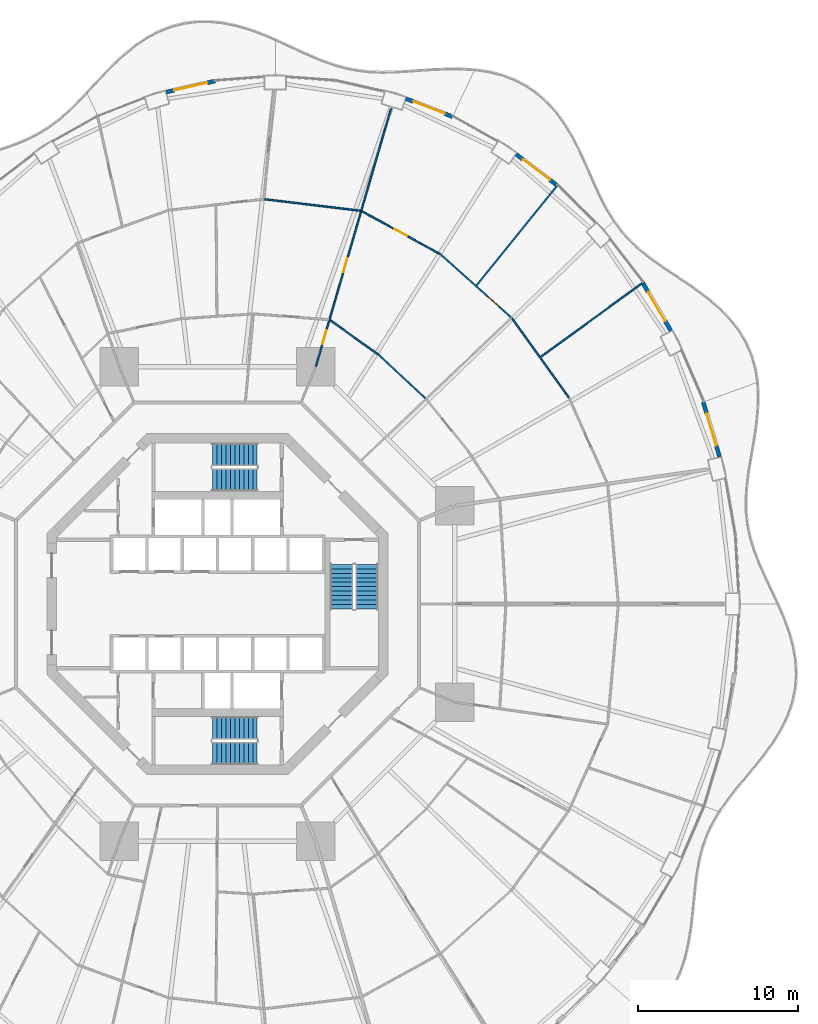
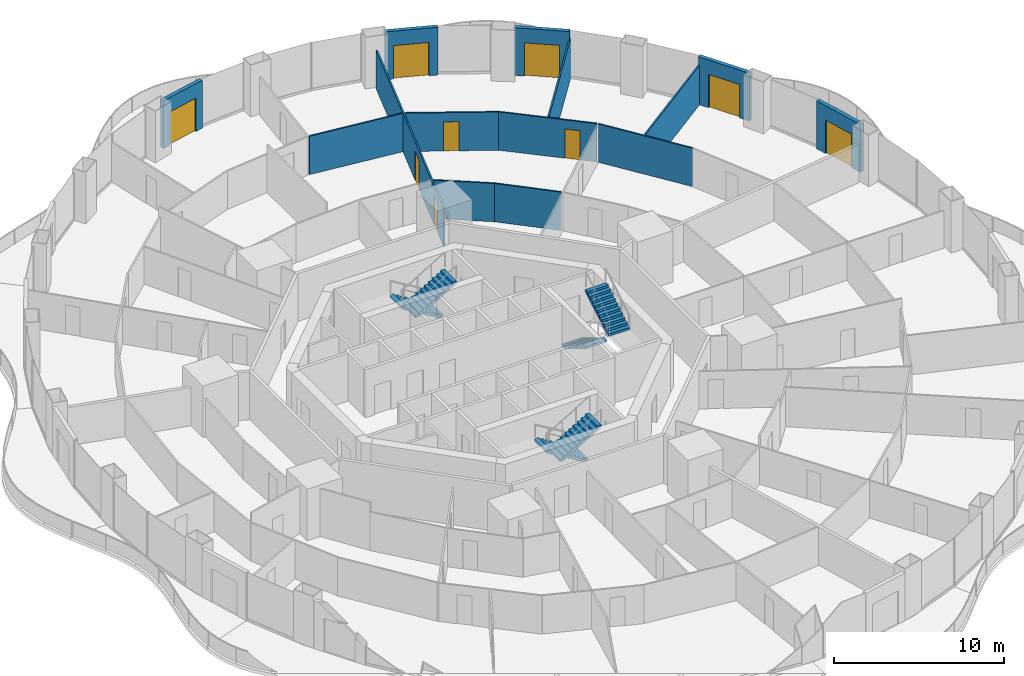
# One storey, part 19 of 22: 14 walls, 9 doors, 6 stair flights, 9 openings, 3 elements without a shape of their own.
"""IFC4 building model written with IfcOpenShell, lengths in metres."""

from ifc_helpers import new_model, si_unit, direction, frame, frame_2d, origin, place, context, subcontext, project, spatial, polyline, rectangle, outline, extrude, material, layer, layer_set, type_object, element, fill, aggregate, save


model = new_model("IFC4")

# Units and contexts
model_context = context("Model", 3, precision=1e-05, world=origin(), true_north=direction((0.0, 1.0)))
body_context = subcontext(model_context, "Body", "Model", "MODEL_VIEW")
ifc_project = project(units=[si_unit("LENGTHUNIT", "METRE"), si_unit("AREAUNIT", "SQUARE_METRE"), si_unit("VOLUMEUNIT", "CUBIC_METRE"), si_unit("PLANEANGLEUNIT", "RADIAN"), si_unit("MASSUNIT", "GRAM", prefix="KILO")], contexts=[model_context])

# Site, building, storey
site_placement = place(None, origin())
site = spatial("IfcSite", under=ifc_project, at=site_placement, CompositionType="ELEMENT")
building_placement = place(site_placement, origin())
building = spatial("IfcBuilding", under=site, at=building_placement, Name="Nagisa Residences", CompositionType="ELEMENT")
storey_placement = place(building_placement, frame((0.0, 0.0, 38.10009765625)))
storey = spatial("IfcBuildingStorey", under=building, at=storey_placement, Name="L08", CompositionType="ELEMENT", Elevation=38.10009765625)

# Walls
ifc_material_1 = material(Name="Gypsum board on steel studs", Category="steel")
ifc_layer_1 = layer(ifc_material_1, 0.10009765625)
ifc_layer_set_1 = layer_set([ifc_layer_1], Name="Apartment partition 100")
wall_type_1 = type_object("IfcWallType", Name="Apartment partition 100", PredefinedType="PARTITIONING", material=ifc_layer_set_1)
wall_1_placement = place(storey_placement, frame((21.90771484375, 12.866455078125, 0.0), z_axis=(0.0, 0.0, 1.0), x_axis=(-0.584558392935, 0.811351640936, 0.0)))
element("IfcWall", 1, at=wall_1_placement, inside=storey, type_object=wall_type_1, Name="wall:L08:u22", PredefinedType="PARTITIONING", context=body_context, shape_type="SweptSolid", body=[
    extrude(rectangle(XDim=6.084228515625, YDim=0.10009765625, at=frame_2d((3.0419921875, 0.0))), origin(), (0.0, 0.0, 1.0), 2.755859375),
])
wall_2_placement = place(storey_placement, frame((20.140625, 15.404541015625, 0.0), z_axis=(0.0, 0.0, 1.0), x_axis=(0.809834895779, 0.58665785734, 0.0)))
element("IfcWall", 2, at=wall_2_placement, inside=storey, type_object=wall_type_1, Name="wall:L08:u23", PredefinedType="PARTITIONING", context=body_context, shape_type="SweptSolid", body=[
    extrude(rectangle(XDim=7.9453125, YDim=0.10009765625, at=frame_2d((3.97265625, 0.0))), origin(), (0.0, 0.0, 1.0), 2.8369140625),
])
wall_3_placement = place(storey_placement, frame((12.957763671875, 12.820068359375, 0.0), z_axis=(0.0, 0.0, 1.0), x_axis=(-0.732028724098, 0.681273768096, 0.0)))
element("IfcWall", 3, at=wall_3_placement, inside=storey, type_object=wall_type_1, Name="wall:L08:u25", PredefinedType="PARTITIONING", context=body_context, shape_type="SweptSolid", body=[
    extrude(rectangle(XDim=4.05029296875, YDim=0.10009765625, at=frame_2d((2.025146484375, 0.0))), origin(), (0.0, 0.0, 1.0), 2.755859375),
])

# Wall, opening, door
wall_4_placement = place(storey_placement, frame((18.28466796875, 17.876953125, 0.0), z_axis=(0.0, 0.0, 1.0), x_axis=(-0.745812746724, 0.666155647596, 0.0)))
wall_4 = element("IfcWall", 4, at=wall_4_placement, inside=storey, type_object=wall_type_1, Name="wall:L08:u26", PredefinedType="PARTITIONING", context=body_context, shape_type="SweptSolid", body=[
    extrude(rectangle(XDim=5.9306640625, YDim=0.10009765625, at=frame_2d((2.96533203125, 0.0))), origin(), (0.0, 0.0, 1.0), 2.755859375),
])
opening_1_placement = place(wall_4_placement, frame((1.007568359375, 0.0, 0.0)))
opening_1 = element("IfcOpeningElement", 5, at=opening_1_placement, cuts=wall_4, Name="Opening L08-U15", PredefinedType="OPENING", context=body_context, shape_type="SweptSolid", body=[
    extrude(rectangle(XDim=0.89990234375, YDim=2.10009765625, at=frame_2d((0.449951171875, 1.050048828125))), frame((0.0, 0.06005859375, 0.0), z_axis=(0.0, -1.0, 0.0), x_axis=(1.0, 0.0, 0.0)), (0.0, 0.0, 1.0), 0.1201171875),
])
ifc_material_2 = material(Name="Timber door set", Category="wood")
door_type_1 = type_object("IfcDoorType", Name="Apartment door 900x2100", OperationType="NOTDEFINED", PredefinedType="DOOR", material=ifc_material_2)
door_1_placement = place(opening_1_placement, frame((0.89990234375, 0.0, 0.0), x_axis=(-1.0, 0.0, 0.0)))
door_1 = element("IfcDoor", 6, at=door_1_placement, inside=storey, type_object=door_type_1, Name="Door to master bedroom, Apartment 08A", OperationType="SINGLE_SWING_RIGHT", OverallHeight=2.10009765625, OverallWidth=0.89990234375, PredefinedType="DOOR", context=body_context, shape_type="SweptSolid", body=[
    extrude(rectangle(XDim=0.89990234375, YDim=2.10009765625, at=frame_2d((0.449951171875, 1.050048828125))), frame((0.0, 0.02490234375, 0.0), z_axis=(0.0, -1.0, 0.0), x_axis=(1.0, 0.0, 0.0)), (0.0, 0.0, 1.0), 0.050048828125),
])
fill(opening_1, door_1)

# Walls
wall_5_placement = place(storey_placement, frame((16.141845703125, 19.85791015625, 0.0), z_axis=(0.0, 0.0, 1.0), x_axis=(0.628738066508, 0.777617157555, 0.0)))
element("IfcWall", 7, at=wall_5_placement, inside=storey, type_object=wall_type_1, Name="wall:L08:u27", PredefinedType="PARTITIONING", context=body_context, shape_type="SweptSolid", body=[
    extrude(rectangle(XDim=8.091064453125, YDim=0.10009765625, at=frame_2d((4.04541015625, 0.0))), origin(), (0.0, 0.0, 1.0), 2.8369140625),
])
wall_6_placement = place(storey_placement, frame((9.98876953125, 15.57421875, 0.0), z_axis=(0.0, 0.0, 1.0), x_axis=(-0.81494477814, 0.57953861699, 0.0)))
element("IfcWall", 8, at=wall_6_placement, inside=storey, type_object=wall_type_1, Name="wall:L08:u28", PredefinedType="PARTITIONING", context=body_context, shape_type="SweptSolid", body=[
    extrude(rectangle(XDim=3.644287109375, YDim=0.10009765625, at=frame_2d((1.822265625, 0.0))), origin(), (0.0, 0.0, 1.0), 2.755859375),
])

# Wall, opening, door
wall_7_placement = place(storey_placement, frame((13.85498046875, 21.818359375, 0.0), z_axis=(0.0, 0.0, 1.0), x_axis=(-0.876794415294, 0.480865421203, 0.0)))
wall_7 = element("IfcWall", 9, at=wall_7_placement, inside=storey, type_object=wall_type_1, Name="wall:L08:u29", PredefinedType="PARTITIONING", context=body_context, shape_type="SweptSolid", body=[
    extrude(rectangle(XDim=5.5361328125, YDim=0.10009765625, at=frame_2d((2.76806640625, 0.0))), origin(), (0.0, 0.0, 1.0), 2.755859375),
])
opening_2_placement = place(wall_7_placement, frame((2.318115234375, 0.0, 0.0)))
opening_2 = element("IfcOpeningElement", 10, at=opening_2_placement, cuts=wall_7, Name="Opening L08-U16", PredefinedType="OPENING", context=body_context, shape_type="SweptSolid", body=[
    extrude(rectangle(XDim=0.89990234375, YDim=2.10009765625, at=frame_2d((0.449951171875, 1.050048828125))), frame((0.0, 0.06005859375, 0.0), z_axis=(0.0, -1.0, 0.0), x_axis=(1.0, 0.0, 0.0)), (0.0, 0.0, 1.0), 0.1201171875),
])
door_2_placement = place(opening_2_placement, frame((0.89990234375, 0.0, 0.0), x_axis=(-1.0, 0.0, 0.0)))
door_2 = element("IfcDoor", 11, at=door_2_placement, inside=storey, type_object=door_type_1, Name="Door to living room, Apartment 08A", OperationType="SINGLE_SWING_LEFT", OverallHeight=2.10009765625, OverallWidth=0.89990234375, PredefinedType="DOOR", context=body_context, shape_type="SweptSolid", body=[
    extrude(rectangle(XDim=0.89990234375, YDim=2.10009765625, at=frame_2d((0.449951171875, 1.050048828125))), frame((0.0, 0.02490234375, 0.0), z_axis=(0.0, -1.0, 0.0), x_axis=(1.0, 0.0, 0.0)), (0.0, 0.0, 1.0), 0.050048828125),
])
fill(opening_2, door_2)

# Wall, openings, doors
wall_8_placement = place(storey_placement, frame((6.136962890625, 14.830078125, 0.0), z_axis=(0.0, 0.0, 1.0), x_axis=(0.27985745069, 0.960041565399, 0.0)))
wall_8 = element("IfcWall", 12, at=wall_8_placement, inside=storey, type_object=wall_type_1, Name="wall:L08:u31", PredefinedType="PARTITIONING", context=body_context, shape_type="SweptSolid", body=[
    extrude(rectangle(XDim=16.705078125, YDim=0.10009765625, at=frame_2d((8.3525390625, 0.0))), origin(), (0.0, 0.0, 1.0), 2.755859375),
])
opening_3_placement = place(wall_8_placement, frame((6.09130859375, 0.0, 0.0)))
opening_3 = element("IfcOpeningElement", 13, at=opening_3_placement, cuts=wall_8, Name="Opening L08-U14", PredefinedType="OPENING", context=body_context, shape_type="SweptSolid", body=[
    extrude(rectangle(XDim=0.89990234375, YDim=2.10009765625, at=frame_2d((0.449951171875, 1.050048828125))), frame((0.0, 0.06005859375, 0.0), z_axis=(0.0, -1.0, 0.0), x_axis=(1.0, 0.0, 0.0)), (0.0, 0.0, 1.0), 0.1201171875),
])
opening_4_placement = place(wall_8_placement, frame((1.43359375, 0.0, 0.0)))
opening_4 = element("IfcOpeningElement", 14, at=opening_4_placement, cuts=wall_8, Name="Opening L08-U17", PredefinedType="OPENING", context=body_context, shape_type="SweptSolid", body=[
    extrude(rectangle(XDim=0.89990234375, YDim=2.10009765625, at=frame_2d((0.449951171875, 1.050048828125))), frame((0.0, 0.06005859375, 0.0), z_axis=(0.0, -1.0, 0.0), x_axis=(1.0, 0.0, 0.0)), (0.0, 0.0, 1.0), 0.1201171875),
])
door_3_placement = place(opening_3_placement, frame((0.89990234375, 0.0, 0.0), x_axis=(-1.0, 0.0, 0.0)))
door_3 = element("IfcDoor", 15, at=door_3_placement, inside=storey, type_object=door_type_1, Name="Door to family room, Apartment 08A", OperationType="SINGLE_SWING_LEFT", OverallHeight=2.10009765625, OverallWidth=0.89990234375, PredefinedType="DOOR", context=body_context, shape_type="SweptSolid", body=[
    extrude(rectangle(XDim=0.89990234375, YDim=2.10009765625, at=frame_2d((0.449951171875, 1.050048828125))), frame((0.0, 0.02490234375, 0.0), z_axis=(0.0, -1.0, 0.0), x_axis=(1.0, 0.0, 0.0)), (0.0, 0.0, 1.0), 0.050048828125),
])
fill(opening_3, door_3)
door_4_placement = place(opening_4_placement, frame((0.89990234375, 0.0, 0.0), x_axis=(-1.0, 0.0, 0.0)))
door_4 = element("IfcDoor", 16, at=door_4_placement, inside=storey, type_object=door_type_1, Name="Door to store, Apartment 08A", OperationType="SINGLE_SWING_RIGHT", OverallHeight=2.10009765625, OverallWidth=0.89990234375, PredefinedType="DOOR", context=body_context, shape_type="SweptSolid", body=[
    extrude(rectangle(XDim=0.89990234375, YDim=2.10009765625, at=frame_2d((0.449951171875, 1.050048828125))), frame((0.0, 0.02490234375, 0.0), z_axis=(0.0, -1.0, 0.0), x_axis=(1.0, 0.0, 0.0)), (0.0, 0.0, 1.0), 0.050048828125),
])
fill(opening_4, door_4)

# Wall
wall_9_placement = place(storey_placement, frame((8.907470703125, 24.510498046875, 0.0), z_axis=(0.0, 0.0, 1.0), x_axis=(-0.992836798252, 0.119478416615, 0.0)))
element("IfcWall", 17, at=wall_9_placement, inside=storey, type_object=wall_type_1, Name="wall:L08:u33", PredefinedType="PARTITIONING", context=body_context, shape_type="SweptSolid", body=[
    extrude(rectangle(XDim=6.009521484375, YDim=0.10009765625, at=frame_2d((3.0048828125, 0.0))), origin(), (0.0, 0.0, 1.0), 2.755859375),
])

# Wall, opening, door
ifc_material_3 = material(Name="Precast concrete C40/50", Category="concrete")
ifc_layer_2 = layer(ifc_material_3, 0.25)
ifc_layer_set_2 = layer_set([ifc_layer_2], Name="BALCONY DOOR WALL 250")
wall_type_2 = type_object("IfcWallType", Name="BALCONY DOOR WALL 250", PredefinedType="SOLIDWALL", material=ifc_layer_set_2)
wall_10_placement = place(storey_placement, frame((30.272705078125, 12.5927734375, 0.0), z_axis=(0.0, 0.0, 1.0), x_axis=(0.285871309426, -0.958268018065, 0.0)))
wall_10 = element("IfcWall", 18, at=wall_10_placement, inside=storey, type_object=wall_type_2, Name="wall:L08:bay02", PredefinedType="SOLIDWALL", context=body_context, shape_type="SweptSolid", body=[
    extrude(rectangle(XDim=3.5654296875, YDim=0.25, at=frame_2d((1.78271484375, 0.0))), origin(), (0.0, 0.0, 1.0), 3.43994140625),
])
opening_5_placement = place(wall_10_placement, frame((0.732666015625, 0.0, 0.0)))
opening_5 = element("IfcOpeningElement", 19, at=opening_5_placement, cuts=wall_10, Name="Opening BD-L08-01", PredefinedType="OPENING", context=body_context, shape_type="SweptSolid", body=[
    extrude(rectangle(XDim=2.10009765625, YDim=2.39990234375, at=frame_2d((1.050048828125, 1.199951171875))), frame((0.0, 0.135009765625, 0.0), z_axis=(0.0, -1.0, 0.0), x_axis=(1.0, 0.0, 0.0)), (0.0, 0.0, 1.0), 0.27001953125),
])
ifc_material_4 = material(Name="Aluminium and clear glass", Category="aluminium")
door_type_2 = type_object("IfcDoorType", Name="BALCONY SLIDING DOOR 2100x2400", OperationType="SLIDING_TO_LEFT", PredefinedType="DOOR", material=ifc_material_4)
door_5_placement = place(opening_5_placement, origin())
door_5 = element("IfcDoor", 20, at=door_5_placement, inside=storey, type_object=door_type_2, Name="door:L08:bay02", OperationType="SLIDING_TO_LEFT", OverallHeight=2.39990234375, OverallWidth=2.10009765625, PredefinedType="DOOR", context=body_context, shape_type="SweptSolid", body=[
    extrude(rectangle(XDim=2.10009765625, YDim=2.39990234375, at=frame_2d((1.050048828125, 1.199951171875))), frame((0.0, 0.02490234375, 0.0), z_axis=(0.0, -1.0, 0.0), x_axis=(1.0, 0.0, 0.0)), (0.0, 0.0, 1.0), 0.050048828125),
])
fill(opening_5, door_5)

wall_11_placement = place(storey_placement, frame((26.49951171875, 20.02587890625, 0.0), z_axis=(0.0, 0.0, 1.0), x_axis=(0.506311160839, -0.862350861546, 0.0)))
wall_11 = element("IfcWall", 21, at=wall_11_placement, inside=storey, type_object=wall_type_2, Name="wall:L08:bay04", PredefinedType="SOLIDWALL", context=body_context, shape_type="SweptSolid", body=[
    extrude(rectangle(XDim=3.462158203125, YDim=0.25, at=frame_2d((1.73095703125, 0.0))), origin(), (0.0, 0.0, 1.0), 3.43994140625),
])
opening_6_placement = place(wall_11_placement, frame((0.68115234375, 0.0, 0.0)))
opening_6 = element("IfcOpeningElement", 22, at=opening_6_placement, cuts=wall_11, Name="Opening BD-L08-02", PredefinedType="OPENING", context=body_context, shape_type="SweptSolid", body=[
    extrude(rectangle(XDim=2.10009765625, YDim=2.39990234375, at=frame_2d((1.050048828125, 1.199951171875))), frame((0.0, 0.135009765625, 0.0), z_axis=(0.0, -1.0, 0.0), x_axis=(1.0, 0.0, 0.0)), (0.0, 0.0, 1.0), 0.27001953125),
])
door_6_placement = place(opening_6_placement, origin())
door_6 = element("IfcDoor", 23, at=door_6_placement, inside=storey, type_object=door_type_2, Name="door:L08:bay04", OperationType="SLIDING_TO_LEFT", OverallHeight=2.39990234375, OverallWidth=2.10009765625, PredefinedType="DOOR", context=body_context, shape_type="SweptSolid", body=[
    extrude(rectangle(XDim=2.10009765625, YDim=2.39990234375, at=frame_2d((1.050048828125, 1.199951171875))), frame((0.0, 0.02490234375, 0.0), z_axis=(0.0, -1.0, 0.0), x_axis=(1.0, 0.0, 0.0)), (0.0, 0.0, 1.0), 0.050048828125),
])
fill(opening_6, door_6)

wall_12_placement = place(storey_placement, frame((18.58154296875, 28.0556640625, 0.0), z_axis=(0.0, 0.0, 1.0), x_axis=(0.796022293214, -0.605267303517, 0.0)))
wall_12 = element("IfcWall", 24, at=wall_12_placement, inside=storey, type_object=wall_type_2, Name="wall:L08:bay07", PredefinedType="SOLIDWALL", context=body_context, shape_type="SweptSolid", body=[
    extrude(rectangle(XDim=3.262451171875, YDim=0.25, at=frame_2d((1.63134765625, 0.0))), origin(), (0.0, 0.0, 1.0), 3.43994140625),
])
opening_7_placement = place(wall_12_placement, frame((0.5810546875, 0.0, 0.0)))
opening_7 = element("IfcOpeningElement", 25, at=opening_7_placement, cuts=wall_12, Name="Opening BD-L08-03", PredefinedType="OPENING", context=body_context, shape_type="SweptSolid", body=[
    extrude(rectangle(XDim=2.10009765625, YDim=2.39990234375, at=frame_2d((1.050048828125, 1.199951171875))), frame((0.0, 0.135009765625, 0.0), z_axis=(0.0, -1.0, 0.0), x_axis=(1.0, 0.0, 0.0)), (0.0, 0.0, 1.0), 0.27001953125),
])
door_7_placement = place(opening_7_placement, origin())
door_7 = element("IfcDoor", 26, at=door_7_placement, inside=storey, type_object=door_type_2, Name="door:L08:bay07", OperationType="SLIDING_TO_LEFT", OverallHeight=2.39990234375, OverallWidth=2.10009765625, PredefinedType="DOOR", context=body_context, shape_type="SweptSolid", body=[
    extrude(rectangle(XDim=2.10009765625, YDim=2.39990234375, at=frame_2d((1.050048828125, 1.199951171875))), frame((0.0, 0.02490234375, 0.0), z_axis=(0.0, -1.0, 0.0), x_axis=(1.0, 0.0, 0.0)), (0.0, 0.0, 1.0), 0.050048828125),
])
fill(opening_7, door_7)

wall_13_placement = place(storey_placement, frame((11.713623046875, 31.5068359375, 0.0), z_axis=(0.0, 0.0, 1.0), x_axis=(0.932809381943, -0.360370166577, 0.0)))
wall_13 = element("IfcWall", 27, at=wall_13_placement, inside=storey, type_object=wall_type_2, Name="wall:L08:bay09", PredefinedType="SOLIDWALL", context=body_context, shape_type="SweptSolid", body=[
    extrude(rectangle(XDim=3.15087890625, YDim=0.25, at=frame_2d((1.575439453125, 0.0))), origin(), (0.0, 0.0, 1.0), 3.43994140625),
])
opening_8_placement = place(wall_13_placement, frame((0.525390625, 0.0, 0.0)))
opening_8 = element("IfcOpeningElement", 28, at=opening_8_placement, cuts=wall_13, Name="Opening BD-L08-04", PredefinedType="OPENING", context=body_context, shape_type="SweptSolid", body=[
    extrude(rectangle(XDim=2.10009765625, YDim=2.39990234375, at=frame_2d((1.050048828125, 1.199951171875))), frame((0.0, 0.135009765625, 0.0), z_axis=(0.0, -1.0, 0.0), x_axis=(1.0, 0.0, 0.0)), (0.0, 0.0, 1.0), 0.27001953125),
])
door_8_placement = place(opening_8_placement, origin())
door_8 = element("IfcDoor", 29, at=door_8_placement, inside=storey, type_object=door_type_2, Name="door:L08:bay09", OperationType="SLIDING_TO_LEFT", OverallHeight=2.39990234375, OverallWidth=2.10009765625, PredefinedType="DOOR", context=body_context, shape_type="SweptSolid", body=[
    extrude(rectangle(XDim=2.10009765625, YDim=2.39990234375, at=frame_2d((1.050048828125, 1.199951171875))), frame((0.0, 0.02490234375, 0.0), z_axis=(0.0, -1.0, 0.0), x_axis=(1.0, 0.0, 0.0)), (0.0, 0.0, 1.0), 0.050048828125),
])
fill(opening_8, door_8)

wall_14_placement = place(storey_placement, frame((-3.1953125, 31.908203125, 0.0), z_axis=(0.0, 0.0, 1.0), x_axis=(0.975331134677, 0.220746863466, 0.0)))
wall_14 = element("IfcWall", 30, at=wall_14_placement, inside=storey, type_object=wall_type_2, Name="wall:L08:bay13", PredefinedType="SOLIDWALL", context=body_context, shape_type="SweptSolid", body=[
    extrude(rectangle(XDim=3.114501953125, YDim=0.25, at=frame_2d((1.55712890625, 0.0))), origin(), (0.0, 0.0, 1.0), 3.43994140625),
])
opening_9_placement = place(wall_14_placement, frame((0.50732421875, 0.0, 0.0)))
opening_9 = element("IfcOpeningElement", 31, at=opening_9_placement, cuts=wall_14, Name="Opening BD-L08-05", PredefinedType="OPENING", context=body_context, shape_type="SweptSolid", body=[
    extrude(rectangle(XDim=2.10009765625, YDim=2.39990234375, at=frame_2d((1.050048828125, 1.199951171875))), frame((0.0, 0.135009765625, 0.0), z_axis=(0.0, -1.0, 0.0), x_axis=(1.0, 0.0, 0.0)), (0.0, 0.0, 1.0), 0.27001953125),
])
door_9_placement = place(opening_9_placement, origin())
door_9 = element("IfcDoor", 32, at=door_9_placement, inside=storey, type_object=door_type_2, Name="door:L08:bay13", OperationType="SLIDING_TO_LEFT", OverallHeight=2.39990234375, OverallWidth=2.10009765625, PredefinedType="DOOR", context=body_context, shape_type="SweptSolid", body=[
    extrude(rectangle(XDim=2.10009765625, YDim=2.39990234375, at=frame_2d((1.050048828125, 1.199951171875))), frame((0.0, 0.02490234375, 0.0), z_axis=(0.0, -1.0, 0.0), x_axis=(1.0, 0.0, 0.0)), (0.0, 0.0, 1.0), 0.050048828125),
])
fill(opening_9, door_9)

# Stair, stair flights
ifc_material_5 = material(Name="Concrete C60", Category="concrete")
stair_type = type_object("IfcStairType", Name="Exit stair", PredefinedType="HALF_TURN_STAIR", material=ifc_material_5)
stair_1_placement = place(storey_placement, origin())
stair_1 = element("IfcStair", 33, at=stair_1_placement, inside=storey, type_object=stair_type, Name="L08 Exit stair E", PredefinedType="HALF_TURN_STAIR")
ifc_material_6 = material(Name="Concrete C60", Category="concrete")
stair_flight_type = type_object("IfcStairFlightType", Name="Exit stair flight", PredefinedType="STRAIGHT", material=ifc_material_6)
stair_flight_1_placement = place(storey_placement, frame((7.737060546875, 2.47509765625, 0.0), z_axis=(0.0, 0.0, 1.0), x_axis=(0.0, -1.0, 0.0)))
stair_flight_1 = element("IfcStairFlight", 34, at=stair_flight_1_placement, type_object=stair_flight_type, Name="ST-E flight 1", NumberOfRisers=11, NumberOfTreads=10, PredefinedType="STRAIGHT", RiserHeight=0.168181818, TreadLength=0.28, context=body_context, shape_type="SweptSolid", body=[
    extrude(outline(polyline([(0.0, 0.0), (0.0, 0.168212890625), (0.280029296875, 0.168212890625), (0.280029296875, 0.33642578125), (0.56005859375, 0.33642578125), (0.56005859375, 0.504638671875), (0.840087890625, 0.504638671875), (0.840087890625, 0.672607421875), (1.1201171875, 0.672607421875), (1.1201171875, 0.8408203125), (1.39990234375, 0.8408203125), (1.39990234375, 1.009033203125), (1.679931640625, 1.009033203125), (1.679931640625, 1.17724609375), (1.9599609375, 1.17724609375), (1.9599609375, 1.345458984375), (2.239990234375, 1.345458984375), (2.239990234375, 1.513671875), (2.52001953125, 1.513671875), (2.52001953125, 1.681884765625), (2.800048828125, 1.681884765625), (2.800048828125, 1.85009765625), (2.800048828125, 1.5068359375), (0.291015625, 0.0), (0.0, 0.0)])), frame((0.0, 0.71240234375, 0.0), z_axis=(0.0, -1.0, 0.0), x_axis=(1.0, 0.0, 0.0)), (0.0, 0.0, 1.0), 1.425048828125),
])
stair_flight_2_placement = place(storey_placement, frame((9.31201171875, -0.324951171875, 1.849853515625), z_axis=(0.0, 0.0, 1.0), x_axis=(0.0, 1.0, 0.0)))
stair_flight_2 = element("IfcStairFlight", 35, at=stair_flight_2_placement, type_object=stair_flight_type, Name="ST-E flight 2", NumberOfRisers=11, NumberOfTreads=10, PredefinedType="STRAIGHT", RiserHeight=0.168181818, TreadLength=0.28, context=body_context, shape_type="SweptSolid", body=[
    extrude(outline(polyline([(0.0, 0.0), (0.0, 0.168212890625), (0.280029296875, 0.168212890625), (0.280029296875, 0.33642578125), (0.56005859375, 0.33642578125), (0.56005859375, 0.504638671875), (0.840087890625, 0.504638671875), (0.840087890625, 0.672607421875), (1.1201171875, 0.672607421875), (1.1201171875, 0.8408203125), (1.39990234375, 0.8408203125), (1.39990234375, 1.009033203125), (1.679931640625, 1.009033203125), (1.679931640625, 1.17724609375), (1.9599609375, 1.17724609375), (1.9599609375, 1.345458984375), (2.239990234375, 1.345458984375), (2.239990234375, 1.513671875), (2.52001953125, 1.513671875), (2.52001953125, 1.681884765625), (2.800048828125, 1.681884765625), (2.800048828125, 1.85009765625), (2.800048828125, 1.5068359375), (0.291015625, 0.0), (0.0, 0.0)])), frame((0.0, 0.71240234375, 0.0), z_axis=(0.0, -1.0, 0.0), x_axis=(1.0, 0.0, 0.0)), (0.0, 0.0, 1.0), 1.425048828125),
])
aggregate(stair_1, [stair_flight_1, stair_flight_2])

stair_2_placement = place(storey_placement, origin())
stair_2 = element("IfcStair", 36, at=stair_2_placement, inside=storey, type_object=stair_type, Name="L08 Exit stair N", PredefinedType="HALF_TURN_STAIR")
stair_flight_3_placement = place(storey_placement, frame((2.47509765625, 9.31201171875, 0.0), z_axis=(0.0, 0.0, 1.0), x_axis=(-1.0, 0.0, 0.0)))
stair_flight_3 = element("IfcStairFlight", 37, at=stair_flight_3_placement, type_object=stair_flight_type, Name="ST-N flight 1", NumberOfRisers=11, NumberOfTreads=10, PredefinedType="STRAIGHT", RiserHeight=0.168181818, TreadLength=0.28, context=body_context, shape_type="SweptSolid", body=[
    extrude(outline(polyline([(0.0, 0.0), (0.0, 0.168212890625), (0.280029296875, 0.168212890625), (0.280029296875, 0.33642578125), (0.56005859375, 0.33642578125), (0.56005859375, 0.504638671875), (0.840087890625, 0.504638671875), (0.840087890625, 0.672607421875), (1.1201171875, 0.672607421875), (1.1201171875, 0.8408203125), (1.39990234375, 0.8408203125), (1.39990234375, 1.009033203125), (1.679931640625, 1.009033203125), (1.679931640625, 1.17724609375), (1.9599609375, 1.17724609375), (1.9599609375, 1.345458984375), (2.239990234375, 1.345458984375), (2.239990234375, 1.513671875), (2.52001953125, 1.513671875), (2.52001953125, 1.681884765625), (2.800048828125, 1.681884765625), (2.800048828125, 1.85009765625), (2.800048828125, 1.5068359375), (0.291015625, 0.0), (0.0, 0.0)])), frame((0.0, 0.71240234375, 0.0), z_axis=(0.0, -1.0, 0.0), x_axis=(1.0, 0.0, 0.0)), (0.0, 0.0, 1.0), 1.425048828125),
])
stair_flight_4_placement = place(storey_placement, frame((-0.324951171875, 7.737060546875, 1.849853515625), z_axis=(0.0, 0.0, 1.0), x_axis=(1.0, 0.0, 0.0)))
stair_flight_4 = element("IfcStairFlight", 38, at=stair_flight_4_placement, type_object=stair_flight_type, Name="ST-N flight 2", NumberOfRisers=11, NumberOfTreads=10, PredefinedType="STRAIGHT", RiserHeight=0.168181818, TreadLength=0.28, context=body_context, shape_type="SweptSolid", body=[
    extrude(outline(polyline([(0.0, 0.0), (0.0, 0.168212890625), (0.280029296875, 0.168212890625), (0.280029296875, 0.33642578125), (0.56005859375, 0.33642578125), (0.56005859375, 0.504638671875), (0.840087890625, 0.504638671875), (0.840087890625, 0.672607421875), (1.1201171875, 0.672607421875), (1.1201171875, 0.8408203125), (1.39990234375, 0.8408203125), (1.39990234375, 1.009033203125), (1.679931640625, 1.009033203125), (1.679931640625, 1.17724609375), (1.9599609375, 1.17724609375), (1.9599609375, 1.345458984375), (2.239990234375, 1.345458984375), (2.239990234375, 1.513671875), (2.52001953125, 1.513671875), (2.52001953125, 1.681884765625), (2.800048828125, 1.681884765625), (2.800048828125, 1.85009765625), (2.800048828125, 1.5068359375), (0.291015625, 0.0), (0.0, 0.0)])), frame((0.0, 0.71240234375, 0.0), z_axis=(0.0, -1.0, 0.0), x_axis=(1.0, 0.0, 0.0)), (0.0, 0.0, 1.0), 1.425048828125),
])
aggregate(stair_2, [stair_flight_3, stair_flight_4])

stair_3_placement = place(storey_placement, origin())
stair_3 = element("IfcStair", 39, at=stair_3_placement, inside=storey, type_object=stair_type, Name="L08 Exit stair S", PredefinedType="HALF_TURN_STAIR")
stair_flight_5_placement = place(storey_placement, frame((2.47509765625, -7.737060546875, 0.0), z_axis=(0.0, 0.0, 1.0), x_axis=(-1.0, 0.0, 0.0)))
stair_flight_5 = element("IfcStairFlight", 40, at=stair_flight_5_placement, type_object=stair_flight_type, Name="ST-S flight 1", NumberOfRisers=11, NumberOfTreads=10, PredefinedType="STRAIGHT", RiserHeight=0.168181818, TreadLength=0.28, context=body_context, shape_type="SweptSolid", body=[
    extrude(outline(polyline([(0.0, 0.0), (0.0, 0.168212890625), (0.280029296875, 0.168212890625), (0.280029296875, 0.33642578125), (0.56005859375, 0.33642578125), (0.56005859375, 0.504638671875), (0.840087890625, 0.504638671875), (0.840087890625, 0.672607421875), (1.1201171875, 0.672607421875), (1.1201171875, 0.8408203125), (1.39990234375, 0.8408203125), (1.39990234375, 1.009033203125), (1.679931640625, 1.009033203125), (1.679931640625, 1.17724609375), (1.9599609375, 1.17724609375), (1.9599609375, 1.345458984375), (2.239990234375, 1.345458984375), (2.239990234375, 1.513671875), (2.52001953125, 1.513671875), (2.52001953125, 1.681884765625), (2.800048828125, 1.681884765625), (2.800048828125, 1.85009765625), (2.800048828125, 1.5068359375), (0.291015625, 0.0), (0.0, 0.0)])), frame((0.0, 0.71240234375, 0.0), z_axis=(0.0, -1.0, 0.0), x_axis=(1.0, 0.0, 0.0)), (0.0, 0.0, 1.0), 1.425048828125),
])
stair_flight_6_placement = place(storey_placement, frame((-0.324951171875, -9.31201171875, 1.849853515625), z_axis=(0.0, 0.0, 1.0), x_axis=(1.0, 0.0, 0.0)))
stair_flight_6 = element("IfcStairFlight", 41, at=stair_flight_6_placement, type_object=stair_flight_type, Name="ST-S flight 2", NumberOfRisers=11, NumberOfTreads=10, PredefinedType="STRAIGHT", RiserHeight=0.168181818, TreadLength=0.28, context=body_context, shape_type="SweptSolid", body=[
    extrude(outline(polyline([(0.0, 0.0), (0.0, 0.168212890625), (0.280029296875, 0.168212890625), (0.280029296875, 0.33642578125), (0.56005859375, 0.33642578125), (0.56005859375, 0.504638671875), (0.840087890625, 0.504638671875), (0.840087890625, 0.672607421875), (1.1201171875, 0.672607421875), (1.1201171875, 0.8408203125), (1.39990234375, 0.8408203125), (1.39990234375, 1.009033203125), (1.679931640625, 1.009033203125), (1.679931640625, 1.17724609375), (1.9599609375, 1.17724609375), (1.9599609375, 1.345458984375), (2.239990234375, 1.345458984375), (2.239990234375, 1.513671875), (2.52001953125, 1.513671875), (2.52001953125, 1.681884765625), (2.800048828125, 1.681884765625), (2.800048828125, 1.85009765625), (2.800048828125, 1.5068359375), (0.291015625, 0.0), (0.0, 0.0)])), frame((0.0, 0.71240234375, 0.0), z_axis=(0.0, -1.0, 0.0), x_axis=(1.0, 0.0, 0.0)), (0.0, 0.0, 1.0), 1.425048828125),
])
aggregate(stair_3, [stair_flight_5, stair_flight_6])

save(model, "model.ifc")
